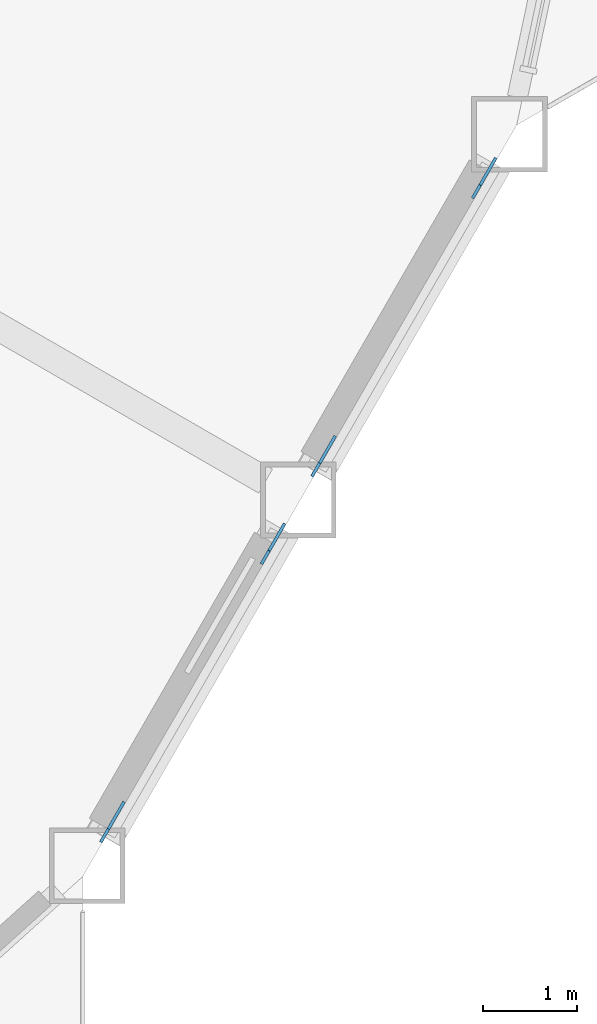
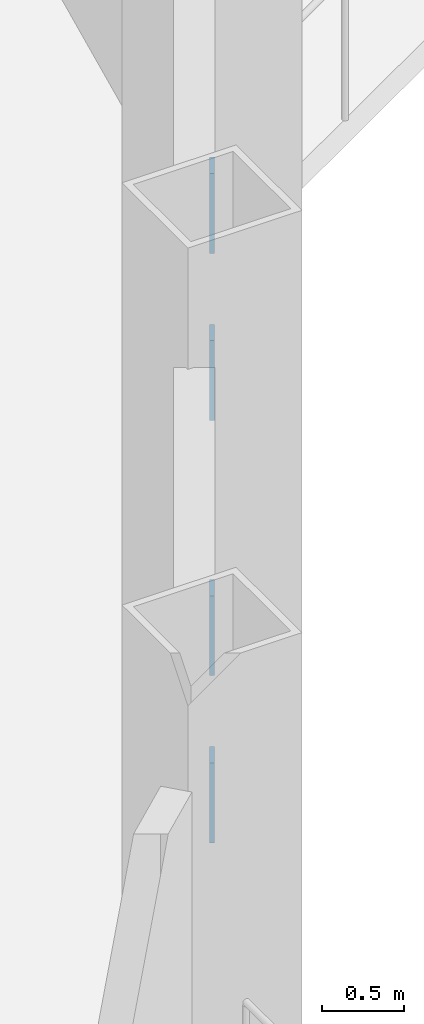
# One storey, part 17 of 23: 4 discrete accessories.
"""IFC4 building model written with IfcOpenShell, lengths in metres."""

from ifc_helpers import new_model, si_unit, direction, frame, origin, origin_2d, place, context, subcontext, project, spatial, rectangle, extrude, material, material_profile, profile_set, type_object, element, save


model = new_model("IFC4")

# Units and contexts
model_context = context("Model", 3, precision=1e-05, world=origin(), true_north=direction((0.0, 1.0)))
body_context = subcontext(model_context, "Body", "Model", "MODEL_VIEW")
ifc_project = project(units=[si_unit("LENGTHUNIT", "METRE"), si_unit("AREAUNIT", "SQUARE_METRE"), si_unit("VOLUMEUNIT", "CUBIC_METRE"), si_unit("PLANEANGLEUNIT", "RADIAN"), si_unit("MASSUNIT", "GRAM", prefix="KILO")], contexts=[model_context])

# Site, building, storey
site_placement = place(None, origin())
site = spatial("IfcSite", under=ifc_project, at=site_placement, CompositionType="ELEMENT")
building_placement = place(site_placement, origin())
building = spatial("IfcBuilding", under=site, at=building_placement, Name="Cormorant Prow Tower", CompositionType="ELEMENT")
storey_placement = place(building_placement, frame((0.0, 0.0, 208.800048828125)))
storey = spatial("IfcBuildingStorey", under=building, at=storey_placement, Name="L46", CompositionType="ELEMENT", Elevation=208.800048828125)

# Discrete accessories
ifc_material = material(Name="Structural steel ASTM A500 Gr C", Category="steel")
ifc_material_profile = material_profile(ifc_material, rectangle(XDim=0.031982421875, YDim=0.506103515625, at=origin_2d()), Name="Gusset plate 32x506")
ifc_profile_set = profile_set([ifc_material_profile], Name="Structural steel ASTM A500 Gr C")
discrete_accessory_type = type_object("IfcDiscreteAccessoryType", Name="Gusset plate 32x506", PredefinedType="BRACKET", material=ifc_profile_set)
for number, where, z_axis, x_axis, name in (
    (1, (27.7080078125, -16.807373046875, 0.83544921875), (0.4742777402, 0.820918970906, -0.31804507284), (-0.86587923604, 0.500253084543, 0.0), "Gusset plate GP2 L46.ESE00.g0"),
    (2, (26.17431640625, -19.463623046875, 1.865234375), (-0.473631655621, -0.821008039272, 0.31877712315), (0.866197837791, -0.499701216534, 0.0), "Gusset plate GP2 L46.ESE00.g1"),
):
    element("IfcDiscreteAccessory", number, at=place(storey_placement, frame(where, z_axis=z_axis, x_axis=x_axis)), inside=storey, type_object=discrete_accessory_type, Name=name, PredefinedType="BRACKET", context=body_context, shape_type="SweptSolid", body=[
        extrude(rectangle(XDim=0.031982421875, YDim=0.506103515625, at=origin_2d()), origin(), (0.0, 0.0, 1.0), 0.35009765625),
    ])
discrete_accessory_1_placement = place(storey_placement, frame((29.943359375, -12.935791015625, 0.83544921875), z_axis=(0.47373689254, 0.821190460264, -0.318150254784), x_axis=(-0.866197837791, 0.499701216534, 0.0)))
element("IfcDiscreteAccessory", 3, at=discrete_accessory_1_placement, inside=storey, type_object=discrete_accessory_type, Name="Gusset plate GP2 L46.ESE01.g0", PredefinedType="BRACKET", context=body_context, shape_type="SweptSolid", body=[
    extrude(rectangle(XDim=0.031982421875, YDim=0.506103515625, at=origin_2d()), origin(), (0.0, 0.0, 1.0), 0.349853515625),
])
discrete_accessory_2_placement = place(storey_placement, frame((28.40966796875, -15.59228515625, 1.865234375), z_axis=(-0.474172452765, -0.820736730742, 0.318671780755), x_axis=(0.86587923604, -0.500253084543, 0.0)))
element("IfcDiscreteAccessory", 4, at=discrete_accessory_2_placement, inside=storey, type_object=discrete_accessory_type, Name="Gusset plate GP2 L46.ESE01.g1", PredefinedType="BRACKET", context=body_context, shape_type="SweptSolid", body=[
    extrude(rectangle(XDim=0.031982421875, YDim=0.506103515625, at=origin_2d()), origin(), (0.0, 0.0, 1.0), 0.35009765625),
])

save(model, "model.ifc")
